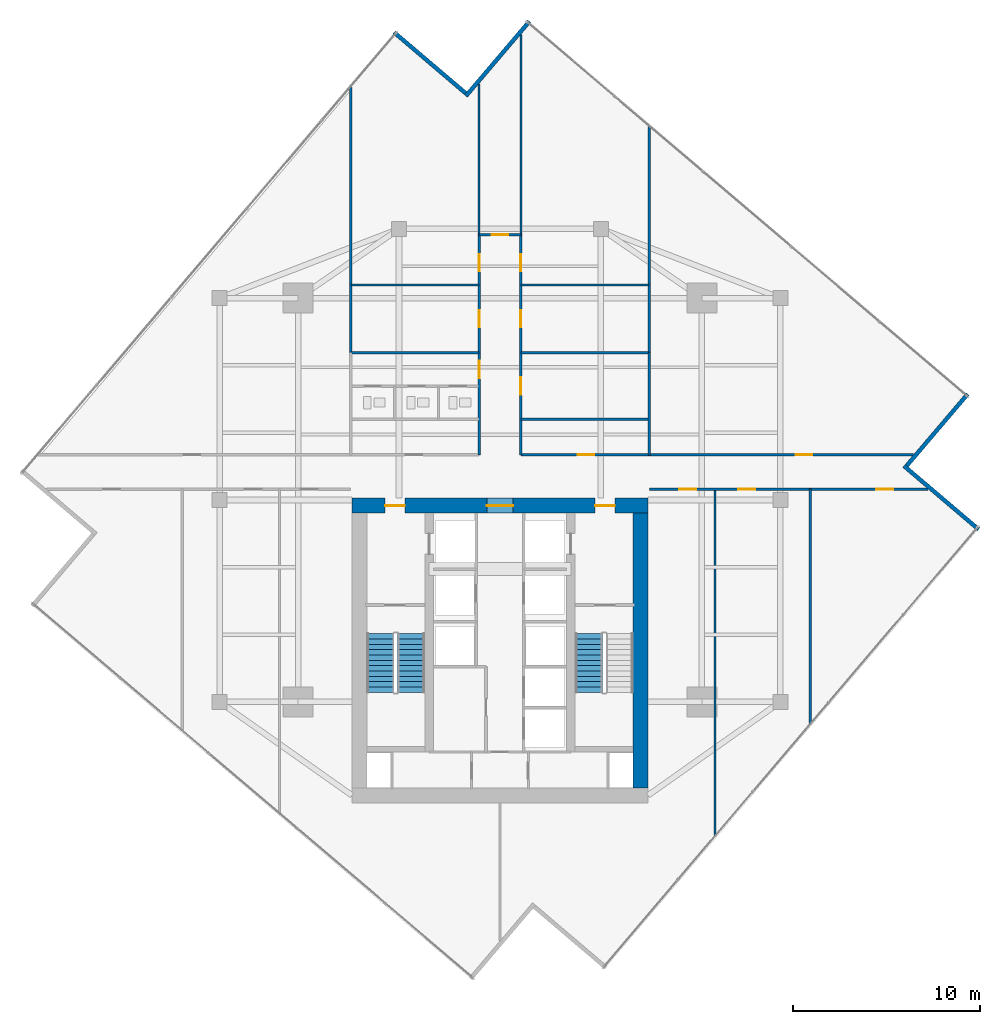
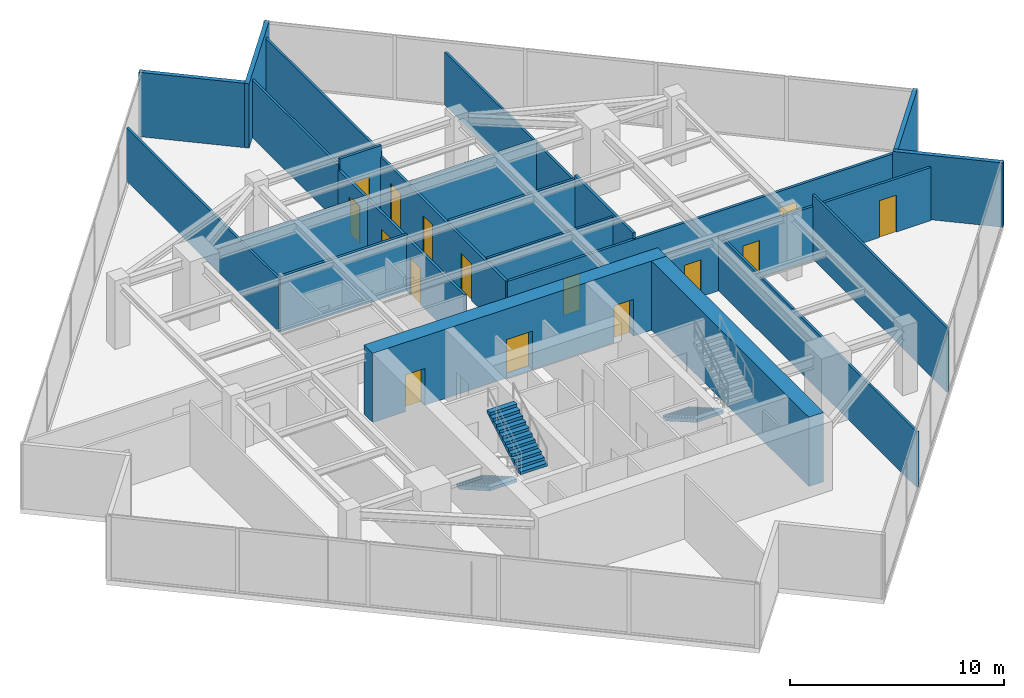
# One storey, part 23 of 26: 23 walls, 15 doors, 3 stair flights, 15 openings, 2 elements without a shape of their own.
"""IFC4 building model written with IfcOpenShell, lengths in metres."""

from ifc_helpers import new_model, si_unit, direction, frame, frame_2d, origin, place, context, subcontext, project, spatial, polyline, rectangle, outline, extrude, material, layer, layer_set, type_object, element, fill, aggregate, save


model = new_model("IFC4")

# Units and contexts
model_context = context("Model", 3, precision=1e-05, world=origin(), true_north=direction((0.0, 1.0)))
body_context = subcontext(model_context, "Body", "Model", "MODEL_VIEW")
ifc_project = project(units=[si_unit("LENGTHUNIT", "METRE"), si_unit("AREAUNIT", "SQUARE_METRE"), si_unit("VOLUMEUNIT", "CUBIC_METRE"), si_unit("PLANEANGLEUNIT", "RADIAN"), si_unit("MASSUNIT", "GRAM", prefix="KILO")], contexts=[model_context])

# Site, building, storey
site_placement = place(None, origin())
site = spatial("IfcSite", under=ifc_project, at=site_placement, CompositionType="ELEMENT")
building_placement = place(site_placement, origin())
building = spatial("IfcBuilding", under=site, at=building_placement, Name="Krantzveldt Concourse Tower", CompositionType="ELEMENT")
storey_placement = place(building_placement, frame((0.0, 0.0, 207.300048828125)))
storey = spatial("IfcBuildingStorey", under=building, at=storey_placement, Name="L50", CompositionType="ELEMENT", Elevation=207.300048828125)

# Walls
ifc_material_1 = material(Name="Anodised aluminium 6063-T6", Category="aluminium")
ifc_layer_1 = layer(ifc_material_1, 0.219970703125, Name="Anodised aluminium 6063-T6", Category="aluminium")
ifc_layer_set_1 = layer_set([ifc_layer_1], Name="Anodised aluminium 6063-T6 (WL-EXT-NOTCH220)")
wall_type_1 = type_object("IfcWallType", Name="WL-EXT-NOTCH220", PredefinedType="ELEMENTEDWALL", material=ifc_layer_set_1)
wall_1_placement = place(storey_placement, frame((34.1611328125, 48.465087890625, 0.0), z_axis=(0.0, 0.0, 1.0), x_axis=(-0.761819427757, 0.647789440707, 0.0)))
element("IfcWall", 1, at=wall_1_placement, inside=storey, type_object=wall_type_1, Name="EW-L50-NCH00", PredefinedType="ELEMENTEDWALL", context=body_context, shape_type="SweptSolid", body=[
    extrude(rectangle(XDim=5.02490234375, YDim=0.219970703125, at=frame_2d((2.512451171875, 0.0))), origin(), (0.0, 0.0, 1.0), 3.669921875),
])
wall_2_placement = place(storey_placement, frame((61.605712890625, 25.128662109375, 0.0), z_axis=(0.0, 0.0, 1.0), x_axis=(-0.761826750047, 0.647780829381, 0.0)))
element("IfcWall", 2, at=wall_2_placement, inside=storey, type_object=wall_type_1, Name="EW-L50-NCH08", PredefinedType="ELEMENTEDWALL", context=body_context, shape_type="SweptSolid", body=[
    extrude(rectangle(XDim=5.244873046875, YDim=0.219970703125, at=frame_2d((2.62255859375, 0.0))), origin(), (0.0, 0.0, 1.0), 3.669921875),
])
wall_3_placement = place(storey_placement, frame((57.76513671875, 28.538818359375, 0.0), z_axis=(0.0, 0.0, 1.0), x_axis=(0.647789440707, 0.761819427757, 0.0)))
element("IfcWall", 3, at=wall_3_placement, inside=storey, type_object=wall_type_1, Name="EW-L50-NCH09", PredefinedType="ELEMENTEDWALL", context=body_context, shape_type="SweptSolid", body=[
    extrude(rectangle(XDim=5.02490234375, YDim=0.219970703125, at=frame_2d((2.512451171875, 0.0))), origin(), (0.0, 0.0, 1.0), 3.669921875),
])
wall_4_placement = place(storey_placement, frame((37.571533203125, 52.305908203125, 0.0), z_axis=(0.0, 0.0, 1.0), x_axis=(-0.647784873465, -0.761823311346, 0.0)))
element("IfcWall", 4, at=wall_4_placement, inside=storey, type_object=wall_type_1, Name="EW-L50-NCH11", PredefinedType="ELEMENTEDWALL", context=body_context, shape_type="SweptSolid", body=[
    extrude(rectangle(XDim=5.2451171875, YDim=0.219970703125, at=frame_2d((2.62255859375, 0.0))), origin(), (0.0, 0.0, 1.0), 3.669921875),
])
ifc_material_2 = material(Name="Fire-rated gypsum plasterboard on steel stud", Category="steel")
ifc_layer_2 = layer(ifc_material_2, 0.1201171875, Name="Fire-rated gypsum plasterboard on steel stud", Category="steel")
ifc_layer_set_2 = layer_set([ifc_layer_2], Name="Fire-rated gypsum plasterboard on steel stud (WL-PART-120)")
wall_type_2 = type_object("IfcWallType", Name="WL-PART-120", PredefinedType="PARTITIONING", material=ifc_layer_set_2)
wall_5_placement = place(storey_placement, frame((37.1201171875, 31.02001953125, 0.0), z_axis=(0.0, 0.0, 1.0), x_axis=(1.0, 0.0, 0.0)))
element("IfcWall", 5, at=wall_5_placement, inside=storey, type_object=wall_type_2, Name="WP-L50-ISMR", PredefinedType="PARTITIONING", context=body_context, shape_type="SweptSolid", body=[
    extrude(rectangle(XDim=6.85986328125, YDim=0.1201171875, at=frame_2d((3.429931640625, 0.0))), origin(), (0.0, 0.0, 1.0), 3.179931640625),
])
wall_6_placement = place(storey_placement, frame((34.8798828125, 40.8798828125, 0.0), z_axis=(0.0, 0.0, 1.0), x_axis=(0.0, 1.0, 0.0)))
element("IfcWall", 6, at=wall_6_placement, inside=storey, type_object=wall_type_2, Name="WP-L50-NTL", PredefinedType="PARTITIONING", context=body_context, shape_type="SweptSolid", body=[
    extrude(rectangle(XDim=8.083251953125, YDim=0.1201171875, at=frame_2d((4.04150390625, 0.0))), origin(), (0.0, 0.0, 1.0), 3.280029296875),
])
wall_7_placement = place(storey_placement, frame((37.1201171875, 40.8798828125, 0.0), z_axis=(0.0, 0.0, 1.0), x_axis=(0.0, 1.0, 0.0)))
element("IfcWall", 7, at=wall_7_placement, inside=storey, type_object=wall_type_2, Name="WP-L50-NTR", PredefinedType="PARTITIONING", context=body_context, shape_type="SweptSolid", body=[
    extrude(rectangle(XDim=10.717529296875, YDim=0.1201171875, at=frame_2d((5.35888671875, 0.0))), origin(), (0.0, 0.0, 1.0), 3.280029296875),
])
wall_8_placement = place(storey_placement, frame((28.02001953125, 34.580078125, 0.0), z_axis=(0.0, 0.0, 1.0), x_axis=(0.0, 1.0, 0.0)))
element("IfcWall", 8, at=wall_8_placement, inside=storey, type_object=wall_type_2, Name="WP-L50-ISWL2", PredefinedType="PARTITIONING", context=body_context, shape_type="SweptSolid", body=[
    extrude(rectangle(XDim=14.242431640625, YDim=0.1201171875, at=frame_2d((7.12109375, 0.0))), origin(), (0.0, 0.0, 1.0), 3.030029296875),
])
wall_9_placement = place(storey_placement, frame((43.97998046875, 34.580078125, 0.0), z_axis=(0.0, 0.0, 1.0), x_axis=(0.0, 1.0, 0.0)))
element("IfcWall", 9, at=wall_9_placement, inside=storey, type_object=wall_type_2, Name="WP-L50-ISER2", PredefinedType="PARTITIONING", context=body_context, shape_type="SweptSolid", body=[
    extrude(rectangle(XDim=12.12548828125, YDim=0.1201171875, at=frame_2d((6.062744140625, 0.0))), origin(), (0.0, 0.0, 1.0), 3.030029296875),
])
for number, where, z_axis, x_axis, name in (
    (10, (28.02001953125, 38.199951171875, 0.0), (0.0, 0.0, 1.0), (1.0, 0.0, 0.0), "WP-L50-NWIY"),
    (11, (37.1201171875, 38.199951171875, 0.0), (0.0, 0.0, 1.0), (1.0, 0.0, 0.0), "WP-L50-NEIY"),
):
    element("IfcWall", number, at=place(storey_placement, frame(where, z_axis=z_axis, x_axis=x_axis)), inside=storey, type_object=wall_type_2, Name=name, PredefinedType="PARTITIONING", context=body_context, shape_type="SweptSolid", body=[
        extrude(rectangle(XDim=6.85986328125, YDim=0.1201171875, at=frame_2d((3.429931640625, 0.0))), origin(), (0.0, 0.0, 1.0), 3.179931640625),
    ])
wall_10_placement = place(storey_placement, frame((47.5, 8.71728515625, 0.0), z_axis=(0.0, 0.0, 1.0), x_axis=(0.0, 1.0, 0.0)))
element("IfcWall", 12, at=wall_10_placement, inside=storey, type_object=wall_type_2, Name="WP-L50-SEX1", PredefinedType="PARTITIONING", context=body_context, shape_type="SweptSolid", body=[
    extrude(rectangle(XDim=18.562744140625, YDim=0.1201171875, at=frame_2d((9.28125, 0.0))), origin(), (0.0, 0.0, 1.0), 3.179931640625),
])
wall_11_placement = place(storey_placement, frame((52.60009765625, 14.71484375, 0.0), z_axis=(0.0, 0.0, 1.0), x_axis=(0.0, 1.0, 0.0)))
element("IfcWall", 13, at=wall_11_placement, inside=storey, type_object=wall_type_2, Name="WP-L50-SEX2", PredefinedType="PARTITIONING", context=body_context, shape_type="SweptSolid", body=[
    extrude(rectangle(XDim=12.565185546875, YDim=0.1201171875, at=frame_2d((6.28271484375, 0.0))), origin(), (0.0, 0.0, 1.0), 3.669921875),
])

# Wall, openings, doors
ifc_layer_3 = layer(ifc_material_2, 0.139892578125, Name="Fire-rated gypsum plasterboard on steel stud", Category="steel")
ifc_layer_set_3 = layer_set([ifc_layer_3], Name="Fire-rated gypsum plasterboard on steel stud (WL-PART-140)")
wall_type_3 = type_object("IfcWallType", Name="WL-PART-140", PredefinedType="PARTITIONING", material=ifc_layer_set_3)
wall_12_placement = place(storey_placement, frame((34.8798828125, 29.1201171875, 0.0), z_axis=(0.0, 0.0, 1.0), x_axis=(0.0, 1.0, 0.0)))
wall_12 = element("IfcWall", 14, at=wall_12_placement, inside=storey, type_object=wall_type_3, Name="WP-L50-SPWL", PredefinedType="PARTITIONING", context=body_context, shape_type="SweptSolid", body=[
    extrude(rectangle(XDim=11.759765625, YDim=0.139892578125, at=frame_2d((5.8798828125, 0.0))), origin(), (0.0, 0.0, 1.0), 3.030029296875),
])
opening_1_placement = place(wall_12_placement, frame((4.0849609375, 0.0, 0.0)))
opening_1 = element("IfcOpeningElement", 15, at=opening_1_placement, cuts=wall_12, Name="Opening D-IN095", PredefinedType="OPENING", context=body_context, shape_type="SweptSolid", body=[
    extrude(rectangle(XDim=0.949951171875, YDim=2.10009765625, at=frame_2d((0.47509765625, 1.050048828125))), frame((0.0, 0.080078125, 0.0), z_axis=(0.0, -1.0, 0.0), x_axis=(1.0, 0.0, 0.0)), (0.0, 0.0, 1.0), 0.159912109375),
])
opening_2_placement = place(wall_12_placement, frame((6.820068359375, 0.0, 0.0)))
opening_2 = element("IfcOpeningElement", 16, at=opening_2_placement, cuts=wall_12, Name="Opening D-IN090", PredefinedType="OPENING", context=body_context, shape_type="SweptSolid", body=[
    extrude(rectangle(XDim=0.89990234375, YDim=2.10009765625, at=frame_2d((0.449951171875, 1.050048828125))), frame((0.0, 0.080078125, 0.0), z_axis=(0.0, -1.0, 0.0), x_axis=(1.0, 0.0, 0.0)), (0.0, 0.0, 1.0), 0.159912109375),
])
opening_3_placement = place(wall_12_placement, frame((9.830078125, 0.0, 0.0)))
opening_3 = element("IfcOpeningElement", 17, at=opening_3_placement, cuts=wall_12, Name="Opening D-IN090", PredefinedType="OPENING", context=body_context, shape_type="SweptSolid", body=[
    extrude(rectangle(XDim=0.89990234375, YDim=2.10009765625, at=frame_2d((0.449951171875, 1.050048828125))), frame((0.0, 0.080078125, 0.0), z_axis=(0.0, -1.0, 0.0), x_axis=(1.0, 0.0, 0.0)), (0.0, 0.0, 1.0), 0.159912109375),
])
ifc_material_3 = material(Name="Hardwood timber", Category="wood")
door_type_1 = type_object("IfcDoorType", Name="DR-INT-900", OperationType="SINGLE_SWING_LEFT", PredefinedType="DOOR", material=ifc_material_3)
door_1_placement = place(opening_2_placement, origin())
door_1 = element("IfcDoor", 18, at=door_1_placement, inside=storey, type_object=door_type_1, Name="DR-L50-NWI1", OperationType="SINGLE_SWING_LEFT", OverallHeight=2.10009765625, OverallWidth=0.89990234375, PredefinedType="DOOR", context=body_context, shape_type="SweptSolid", body=[
    extrude(rectangle(XDim=0.89990234375, YDim=2.10009765625, at=frame_2d((0.449951171875, 1.050048828125))), frame((0.0, 0.02490234375, 0.0), z_axis=(0.0, -1.0, 0.0), x_axis=(1.0, 0.0, 0.0)), (0.0, 0.0, 1.0), 0.050048828125),
])
fill(opening_2, door_1)
door_2_placement = place(opening_3_placement, origin())
door_2 = element("IfcDoor", 19, at=door_2_placement, inside=storey, type_object=door_type_1, Name="DR-L50-NWI2", OperationType="SINGLE_SWING_LEFT", OverallHeight=2.10009765625, OverallWidth=0.89990234375, PredefinedType="DOOR", context=body_context, shape_type="SweptSolid", body=[
    extrude(rectangle(XDim=0.89990234375, YDim=2.10009765625, at=frame_2d((0.449951171875, 1.050048828125))), frame((0.0, 0.02490234375, 0.0), z_axis=(0.0, -1.0, 0.0), x_axis=(1.0, 0.0, 0.0)), (0.0, 0.0, 1.0), 0.050048828125),
])
fill(opening_3, door_2)
door_type_2 = type_object("IfcDoorType", Name="DR-INT-950", OperationType="SINGLE_SWING_LEFT", PredefinedType="DOOR", material=ifc_material_3)
door_3_placement = place(opening_1_placement, origin())
door_3 = element("IfcDoor", 20, at=door_3_placement, inside=storey, type_object=door_type_2, Name="DR-L50-WCLB", OperationType="SINGLE_SWING_LEFT", OverallHeight=2.10009765625, OverallWidth=0.949951171875, PredefinedType="DOOR", context=body_context, shape_type="SweptSolid", body=[
    extrude(rectangle(XDim=0.949951171875, YDim=2.10009765625, at=frame_2d((0.47509765625, 1.050048828125))), frame((0.0, 0.02490234375, 0.0), z_axis=(0.0, -1.0, 0.0), x_axis=(1.0, 0.0, 0.0)), (0.0, 0.0, 1.0), 0.050048828125),
])
fill(opening_1, door_3)

wall_13_placement = place(storey_placement, frame((37.1201171875, 29.1201171875, 0.0), z_axis=(0.0, 0.0, 1.0), x_axis=(0.0, 1.0, 0.0)))
wall_13 = element("IfcWall", 21, at=wall_13_placement, inside=storey, type_object=wall_type_3, Name="WP-L50-SPER", PredefinedType="PARTITIONING", context=body_context, shape_type="SweptSolid", body=[
    extrude(rectangle(XDim=11.759765625, YDim=0.139892578125, at=frame_2d((5.8798828125, 0.0))), origin(), (0.0, 0.0, 1.0), 3.030029296875),
])
opening_4_placement = place(wall_13_placement, frame((3.205078125, 0.0, 0.0)))
opening_4 = element("IfcOpeningElement", 22, at=opening_4_placement, cuts=wall_13, Name="Opening D-IN095", PredefinedType="OPENING", context=body_context, shape_type="SweptSolid", body=[
    extrude(rectangle(XDim=0.949951171875, YDim=2.10009765625, at=frame_2d((0.47509765625, 1.050048828125))), frame((0.0, 0.080078125, 0.0), z_axis=(0.0, -1.0, 0.0), x_axis=(1.0, 0.0, 0.0)), (0.0, 0.0, 1.0), 0.159912109375),
])
opening_5_placement = place(wall_13_placement, frame((6.820068359375, 0.0, 0.0)))
opening_5 = element("IfcOpeningElement", 23, at=opening_5_placement, cuts=wall_13, Name="Opening D-IN090", PredefinedType="OPENING", context=body_context, shape_type="SweptSolid", body=[
    extrude(rectangle(XDim=0.89990234375, YDim=2.10009765625, at=frame_2d((0.449951171875, 1.050048828125))), frame((0.0, 0.080078125, 0.0), z_axis=(0.0, -1.0, 0.0), x_axis=(1.0, 0.0, 0.0)), (0.0, 0.0, 1.0), 0.159912109375),
])
opening_6_placement = place(wall_13_placement, frame((9.830078125, 0.0, 0.0)))
opening_6 = element("IfcOpeningElement", 24, at=opening_6_placement, cuts=wall_13, Name="Opening D-IN090", PredefinedType="OPENING", context=body_context, shape_type="SweptSolid", body=[
    extrude(rectangle(XDim=0.89990234375, YDim=2.10009765625, at=frame_2d((0.449951171875, 1.050048828125))), frame((0.0, 0.080078125, 0.0), z_axis=(0.0, -1.0, 0.0), x_axis=(1.0, 0.0, 0.0)), (0.0, 0.0, 1.0), 0.159912109375),
])
door_4_placement = place(opening_5_placement, origin())
door_4 = element("IfcDoor", 25, at=door_4_placement, inside=storey, type_object=door_type_1, Name="DR-L50-NEI1", OperationType="SINGLE_SWING_LEFT", OverallHeight=2.10009765625, OverallWidth=0.89990234375, PredefinedType="DOOR", context=body_context, shape_type="SweptSolid", body=[
    extrude(rectangle(XDim=0.89990234375, YDim=2.10009765625, at=frame_2d((0.449951171875, 1.050048828125))), frame((0.0, 0.02490234375, 0.0), z_axis=(0.0, -1.0, 0.0), x_axis=(1.0, 0.0, 0.0)), (0.0, 0.0, 1.0), 0.050048828125),
])
fill(opening_5, door_4)
door_5_placement = place(opening_6_placement, origin())
door_5 = element("IfcDoor", 26, at=door_5_placement, inside=storey, type_object=door_type_1, Name="DR-L50-NEI2", OperationType="SINGLE_SWING_LEFT", OverallHeight=2.10009765625, OverallWidth=0.89990234375, PredefinedType="DOOR", context=body_context, shape_type="SweptSolid", body=[
    extrude(rectangle(XDim=0.89990234375, YDim=2.10009765625, at=frame_2d((0.449951171875, 1.050048828125))), frame((0.0, 0.02490234375, 0.0), z_axis=(0.0, -1.0, 0.0), x_axis=(1.0, 0.0, 0.0)), (0.0, 0.0, 1.0), 0.050048828125),
])
fill(opening_6, door_5)
door_6_placement = place(opening_4_placement, origin())
door_6 = element("IfcDoor", 27, at=door_6_placement, inside=storey, type_object=door_type_2, Name="DR-L50-PNT", OperationType="SINGLE_SWING_RIGHT", OverallHeight=2.10009765625, OverallWidth=0.949951171875, PredefinedType="DOOR", context=body_context, shape_type="SweptSolid", body=[
    extrude(rectangle(XDim=0.949951171875, YDim=2.10009765625, at=frame_2d((0.47509765625, 1.050048828125))), frame((0.0, 0.02490234375, 0.0), z_axis=(0.0, -1.0, 0.0), x_axis=(1.0, 0.0, 0.0)), (0.0, 0.0, 1.0), 0.050048828125),
])
fill(opening_4, door_6)

# Wall, opening, door
wall_14_placement = place(storey_placement, frame((34.8798828125, 40.8798828125, 0.0), z_axis=(0.0, 0.0, 1.0), x_axis=(1.0, 0.0, 0.0)))
wall_14 = element("IfcWall", 28, at=wall_14_placement, inside=storey, type_object=wall_type_3, Name="WP-L50-SPTOP", PredefinedType="PARTITIONING", context=body_context, shape_type="SweptSolid", body=[
    extrude(rectangle(XDim=2.240234375, YDim=0.139892578125, at=frame_2d((1.1201171875, 0.0))), origin(), (0.0, 0.0, 1.0), 3.669921875),
])
opening_7_placement = place(wall_14_placement, frame((0.669921875, 0.0, 0.0)))
opening_7 = element("IfcOpeningElement", 29, at=opening_7_placement, cuts=wall_14, Name="Opening D-IN090", PredefinedType="OPENING", context=body_context, shape_type="SweptSolid", body=[
    extrude(rectangle(XDim=0.89990234375, YDim=2.10009765625, at=frame_2d((0.449951171875, 1.050048828125))), frame((0.0, 0.080078125, 0.0), z_axis=(0.0, -1.0, 0.0), x_axis=(1.0, 0.0, 0.0)), (0.0, 0.0, 1.0), 0.159912109375),
])
door_7_placement = place(opening_7_placement, origin())
door_7 = element("IfcDoor", 30, at=door_7_placement, inside=storey, type_object=door_type_1, Name="DR-L50-NTOP", OperationType="SINGLE_SWING_LEFT", OverallHeight=2.10009765625, OverallWidth=0.89990234375, PredefinedType="DOOR", context=body_context, shape_type="SweptSolid", body=[
    extrude(rectangle(XDim=0.89990234375, YDim=2.10009765625, at=frame_2d((0.449951171875, 1.050048828125))), frame((0.0, 0.02490234375, 0.0), z_axis=(0.0, -1.0, 0.0), x_axis=(1.0, 0.0, 0.0)), (0.0, 0.0, 1.0), 0.050048828125),
])
fill(opening_7, door_7)

# Wall, openings, doors
wall_15_placement = place(storey_placement, frame((37.1201171875, 29.1201171875, 0.0), z_axis=(0.0, 0.0, 1.0), x_axis=(1.0, 0.0, 0.0)))
wall_15 = element("IfcWall", 31, at=wall_15_placement, inside=storey, type_object=wall_type_3, Name="WP-L50-EWNR", PredefinedType="PARTITIONING", context=body_context, shape_type="SweptSolid", body=[
    extrude(rectangle(XDim=20.98828125, YDim=0.139892578125, at=frame_2d((10.494140625, 0.0))), origin(), (0.0, 0.0, 1.0), 3.030029296875),
])
opening_8_placement = place(wall_15_placement, frame((3.030029296875, 0.0, 0.0)))
opening_8 = element("IfcOpeningElement", 32, at=opening_8_placement, cuts=wall_15, Name="Opening D-IN090", PredefinedType="OPENING", context=body_context, shape_type="SweptSolid", body=[
    extrude(rectangle(XDim=0.89990234375, YDim=2.10009765625, at=frame_2d((0.449951171875, 1.050048828125))), frame((0.0, 0.080078125, 0.0), z_axis=(0.0, -1.0, 0.0), x_axis=(1.0, 0.0, 0.0)), (0.0, 0.0, 1.0), 0.159912109375),
])
opening_9_placement = place(wall_15_placement, frame((14.694091796875, 0.0, 0.0)))
opening_9 = element("IfcOpeningElement", 33, at=opening_9_placement, cuts=wall_15, Name="Opening D-IN090", PredefinedType="OPENING", context=body_context, shape_type="SweptSolid", body=[
    extrude(rectangle(XDim=0.89990234375, YDim=2.10009765625, at=frame_2d((0.449951171875, 1.050048828125))), frame((0.0, 0.080078125, 0.0), z_axis=(0.0, -1.0, 0.0), x_axis=(1.0, 0.0, 0.0)), (0.0, 0.0, 1.0), 0.159912109375),
])
door_8_placement = place(opening_8_placement, origin())
door_8 = element("IfcDoor", 34, at=door_8_placement, inside=storey, type_object=door_type_1, Name="DR-L50-ALCR", OperationType="SINGLE_SWING_RIGHT", OverallHeight=2.10009765625, OverallWidth=0.89990234375, PredefinedType="DOOR", context=body_context, shape_type="SweptSolid", body=[
    extrude(rectangle(XDim=0.89990234375, YDim=2.10009765625, at=frame_2d((0.449951171875, 1.050048828125))), frame((0.0, 0.02490234375, 0.0), z_axis=(0.0, -1.0, 0.0), x_axis=(1.0, 0.0, 0.0)), (0.0, 0.0, 1.0), 0.050048828125),
])
fill(opening_8, door_8)
door_9_placement = place(opening_9_placement, origin())
door_9 = element("IfcDoor", 35, at=door_9_placement, inside=storey, type_object=door_type_1, Name="DR-L50-NEX1", OperationType="SINGLE_SWING_RIGHT", OverallHeight=2.10009765625, OverallWidth=0.89990234375, PredefinedType="DOOR", context=body_context, shape_type="SweptSolid", body=[
    extrude(rectangle(XDim=0.89990234375, YDim=2.10009765625, at=frame_2d((0.449951171875, 1.050048828125))), frame((0.0, 0.02490234375, 0.0), z_axis=(0.0, -1.0, 0.0), x_axis=(1.0, 0.0, 0.0)), (0.0, 0.0, 1.0), 0.050048828125),
])
fill(opening_9, door_9)

wall_16_placement = place(storey_placement, frame((44.0, 27.280029296875, 0.0), z_axis=(0.0, 0.0, 1.0), x_axis=(1.0, 0.0, 0.0)))
wall_16 = element("IfcWall", 36, at=wall_16_placement, inside=storey, type_object=wall_type_3, Name="WP-L50-EWSR", PredefinedType="PARTITIONING", context=body_context, shape_type="SweptSolid", body=[
    extrude(rectangle(XDim=14.898193359375, YDim=0.139892578125, at=frame_2d((7.44921875, 0.0))), origin(), (0.0, 0.0, 1.0), 3.030029296875),
])
opening_10_placement = place(wall_16_placement, frame((1.60009765625, 0.0, 0.0)))
opening_10 = element("IfcOpeningElement", 37, at=opening_10_placement, cuts=wall_16, Name="Opening D-IN090", PredefinedType="OPENING", context=body_context, shape_type="SweptSolid", body=[
    extrude(rectangle(XDim=0.89990234375, YDim=2.10009765625, at=frame_2d((0.449951171875, 1.050048828125))), frame((0.0, 0.080078125, 0.0), z_axis=(0.0, -1.0, 0.0), x_axis=(1.0, 0.0, 0.0)), (0.0, 0.0, 1.0), 0.159912109375),
])
opening_11_placement = place(wall_16_placement, frame((4.75, 0.0, 0.0)))
opening_11 = element("IfcOpeningElement", 38, at=opening_11_placement, cuts=wall_16, Name="Opening D-IN090", PredefinedType="OPENING", context=body_context, shape_type="SweptSolid", body=[
    extrude(rectangle(XDim=0.89990234375, YDim=2.10009765625, at=frame_2d((0.449951171875, 1.050048828125))), frame((0.0, 0.080078125, 0.0), z_axis=(0.0, -1.0, 0.0), x_axis=(1.0, 0.0, 0.0)), (0.0, 0.0, 1.0), 0.159912109375),
])
opening_12_placement = place(wall_16_placement, frame((12.1240234375, 0.0, 0.0)))
opening_12 = element("IfcOpeningElement", 39, at=opening_12_placement, cuts=wall_16, Name="Opening D-IN090", PredefinedType="OPENING", context=body_context, shape_type="SweptSolid", body=[
    extrude(rectangle(XDim=0.89990234375, YDim=2.10009765625, at=frame_2d((0.449951171875, 1.050048828125))), frame((0.0, 0.080078125, 0.0), z_axis=(0.0, -1.0, 0.0), x_axis=(1.0, 0.0, 0.0)), (0.0, 0.0, 1.0), 0.159912109375),
])
door_10_placement = place(opening_10_placement, origin())
door_10 = element("IfcDoor", 40, at=door_10_placement, inside=storey, type_object=door_type_1, Name="DR-L50-SEX1", OperationType="SINGLE_SWING_RIGHT", OverallHeight=2.10009765625, OverallWidth=0.89990234375, PredefinedType="DOOR", context=body_context, shape_type="SweptSolid", body=[
    extrude(rectangle(XDim=0.89990234375, YDim=2.10009765625, at=frame_2d((0.449951171875, 1.050048828125))), frame((0.0, 0.02490234375, 0.0), z_axis=(0.0, -1.0, 0.0), x_axis=(1.0, 0.0, 0.0)), (0.0, 0.0, 1.0), 0.050048828125),
])
fill(opening_10, door_10)
door_11_placement = place(opening_11_placement, origin())
door_11 = element("IfcDoor", 41, at=door_11_placement, inside=storey, type_object=door_type_1, Name="DR-L50-SEX2", OperationType="SINGLE_SWING_RIGHT", OverallHeight=2.10009765625, OverallWidth=0.89990234375, PredefinedType="DOOR", context=body_context, shape_type="SweptSolid", body=[
    extrude(rectangle(XDim=0.89990234375, YDim=2.10009765625, at=frame_2d((0.449951171875, 1.050048828125))), frame((0.0, 0.02490234375, 0.0), z_axis=(0.0, -1.0, 0.0), x_axis=(1.0, 0.0, 0.0)), (0.0, 0.0, 1.0), 0.050048828125),
])
fill(opening_11, door_11)
door_12_placement = place(opening_12_placement, origin())
door_12 = element("IfcDoor", 42, at=door_12_placement, inside=storey, type_object=door_type_1, Name="DR-L50-SEX3", OperationType="SINGLE_SWING_RIGHT", OverallHeight=2.10009765625, OverallWidth=0.89990234375, PredefinedType="DOOR", context=body_context, shape_type="SweptSolid", body=[
    extrude(rectangle(XDim=0.89990234375, YDim=2.10009765625, at=frame_2d((0.449951171875, 1.050048828125))), frame((0.0, 0.02490234375, 0.0), z_axis=(0.0, -1.0, 0.0), x_axis=(1.0, 0.0, 0.0)), (0.0, 0.0, 1.0), 0.050048828125),
])
fill(opening_12, door_12)

# Walls
for number, where, z_axis, x_axis, name in (
    (43, (28.02001953125, 34.580078125, 0.0), (0.0, 0.0, 1.0), (1.0, 0.0, 0.0), "WP-L50-ISNL"),
    (44, (37.1201171875, 34.580078125, 0.0), (0.0, 0.0, 1.0), (1.0, 0.0, 0.0), "WP-L50-ISNR"),
):
    element("IfcWall", number, at=place(storey_placement, frame(where, z_axis=z_axis, x_axis=x_axis)), inside=storey, type_object=wall_type_3, Name=name, PredefinedType="PARTITIONING", context=body_context, shape_type="SweptSolid", body=[
        extrude(rectangle(XDim=6.85986328125, YDim=0.139892578125, at=frame_2d((3.429931640625, 0.0))), origin(), (0.0, 0.0, 1.0), 3.179931640625),
    ])
wall_17_placement = place(storey_placement, frame((43.97998046875, 29.1201171875, 0.0), z_axis=(0.0, 0.0, 1.0), x_axis=(0.0, 1.0, 0.0)))
element("IfcWall", 45, at=wall_17_placement, inside=storey, type_object=wall_type_3, Name="WP-L50-ISER", PredefinedType="PARTITIONING", context=body_context, shape_type="SweptSolid", body=[
    extrude(rectangle(XDim=5.4599609375, YDim=0.139892578125, at=frame_2d((2.72998046875, 0.0))), origin(), (0.0, 0.0, 1.0), 3.369873046875),
])

# Wall, openings, doors
ifc_material_4 = material(Name="Concrete C60/75", Category="concrete")
ifc_layer_4 = layer(ifc_material_4, 0.800048828125, Name="Concrete C60/75", Category="concrete")
ifc_layer_set_4 = layer_set([ifc_layer_4], Name="Concrete C60/75 (WL-SHEAR-800)")
wall_type_4 = type_object("IfcWallType", Name="WL-SHEAR-800", PredefinedType="SHEAR", material=ifc_layer_set_4)
wall_18_placement = place(storey_placement, frame((28.080078125, 26.39990234375, 0.0), z_axis=(0.0, 0.0, 1.0), x_axis=(1.0, 0.0, 0.0)))
wall_18 = element("IfcWall", 46, at=wall_18_placement, inside=storey, type_object=wall_type_4, Name="CW-L50-N", PredefinedType="SHEAR", context=body_context, shape_type="SweptSolid", body=[
    extrude(rectangle(XDim=15.83984375, YDim=0.800048828125, at=frame_2d((7.919921875, 0.0))), origin(), (0.0, 0.0, 1.0), 3.949951171875),
])
opening_13_placement = place(wall_18_placement, frame((7.219970703125, 0.0, 0.0)))
opening_13 = element("IfcOpeningElement", 47, at=opening_13_placement, cuts=wall_18, Name="Opening D-DB140", PredefinedType="OPENING", context=body_context, shape_type="SweptSolid", body=[
    extrude(rectangle(XDim=1.39990234375, YDim=2.199951171875, at=frame_2d((0.699951171875, 1.10009765625))), frame((0.0, 0.41015625, 0.0), z_axis=(0.0, -1.0, 0.0), x_axis=(1.0, 0.0, 0.0)), (0.0, 0.0, 1.0), 0.820068359375),
])
opening_14_placement = place(wall_18_placement, frame((1.77490234375, 0.0, 0.0)))
opening_14 = element("IfcOpeningElement", 48, at=opening_14_placement, cuts=wall_18, Name="Opening D-FD105", PredefinedType="OPENING", context=body_context, shape_type="SweptSolid", body=[
    extrude(rectangle(XDim=1.050048828125, YDim=2.10009765625, at=frame_2d((0.52490234375, 1.050048828125))), frame((0.0, 0.41015625, 0.0), z_axis=(0.0, -1.0, 0.0), x_axis=(1.0, 0.0, 0.0)), (0.0, 0.0, 1.0), 0.820068359375),
])
opening_15_placement = place(wall_18_placement, frame((13.014892578125, 0.0, 0.0)))
opening_15 = element("IfcOpeningElement", 49, at=opening_15_placement, cuts=wall_18, Name="Opening D-FD105", PredefinedType="OPENING", context=body_context, shape_type="SweptSolid", body=[
    extrude(rectangle(XDim=1.050048828125, YDim=2.10009765625, at=frame_2d((0.52490234375, 1.050048828125))), frame((0.0, 0.41015625, 0.0), z_axis=(0.0, -1.0, 0.0), x_axis=(1.0, 0.0, 0.0)), (0.0, 0.0, 1.0), 0.820068359375),
])
door_type_3 = type_object("IfcDoorType", Name="DR-DBL-1400", OperationType="DOUBLE_DOOR_SINGLE_SWING", PredefinedType="DOOR", material=ifc_material_1)
door_13_placement = place(opening_13_placement, origin())
door_13 = element("IfcDoor", 50, at=door_13_placement, inside=storey, type_object=door_type_3, Name="DR-L50-LLB", OperationType="DOUBLE_DOOR_SINGLE_SWING", OverallHeight=2.199951171875, OverallWidth=1.39990234375, PredefinedType="DOOR", context=body_context, shape_type="SweptSolid", body=[
    extrude(rectangle(XDim=1.39990234375, YDim=2.199951171875, at=frame_2d((0.699951171875, 1.10009765625))), frame((0.0, 0.02490234375, 0.0), z_axis=(0.0, -1.0, 0.0), x_axis=(1.0, 0.0, 0.0)), (0.0, 0.0, 1.0), 0.050048828125),
])
fill(opening_13, door_13)
ifc_material_5 = material(Name="Galvanised steel", Category="steel")
door_type_4 = type_object("IfcDoorType", Name="DR-FD120-1050", OperationType="SINGLE_SWING_LEFT", PredefinedType="DOOR", material=ifc_material_5)
door_14_placement = place(opening_14_placement, origin())
door_14 = element("IfcDoor", 51, at=door_14_placement, inside=storey, type_object=door_type_4, Name="DR-L50-FFL1", OperationType="SINGLE_SWING_LEFT", OverallHeight=2.10009765625, OverallWidth=1.050048828125, PredefinedType="DOOR", context=body_context, shape_type="SweptSolid", body=[
    extrude(rectangle(XDim=1.050048828125, YDim=2.10009765625, at=frame_2d((0.52490234375, 1.050048828125))), frame((0.0, 0.02490234375, 0.0), z_axis=(0.0, -1.0, 0.0), x_axis=(1.0, 0.0, 0.0)), (0.0, 0.0, 1.0), 0.050048828125),
])
fill(opening_14, door_14)
door_15_placement = place(opening_15_placement, origin())
door_15 = element("IfcDoor", 52, at=door_15_placement, inside=storey, type_object=door_type_4, Name="DR-L50-FFL2", OperationType="SINGLE_SWING_RIGHT", OverallHeight=2.10009765625, OverallWidth=1.050048828125, PredefinedType="DOOR", context=body_context, shape_type="SweptSolid", body=[
    extrude(rectangle(XDim=1.050048828125, YDim=2.10009765625, at=frame_2d((0.52490234375, 1.050048828125))), frame((0.0, 0.02490234375, 0.0), z_axis=(0.0, -1.0, 0.0), x_axis=(1.0, 0.0, 0.0)), (0.0, 0.0, 1.0), 0.050048828125),
])
fill(opening_15, door_15)

# Wall
wall_19_placement = place(storey_placement, frame((43.52001953125, 11.300048828125, 0.0), z_axis=(0.0, 0.0, 1.0), x_axis=(0.0, 1.0, 0.0)))
element("IfcWall", 53, at=wall_19_placement, inside=storey, type_object=wall_type_4, Name="CW-L50-E", PredefinedType="SHEAR", context=body_context, shape_type="SweptSolid", body=[
    extrude(rectangle(XDim=14.699951171875, YDim=0.800048828125, at=frame_2d((7.35009765625, 0.0))), origin(), (0.0, 0.0, 1.0), 3.949951171875),
])

# Stair, stair flights
ifc_material_6 = material(Name="Precast concrete C40/50", Category="concrete")
stair_type = type_object("IfcStairType", Name="STR-CORE-DOGLEG", PredefinedType="HALF_TURN_STAIR", material=ifc_material_6)
stair_1_placement = place(storey_placement, origin())
stair_1 = element("IfcStair", 54, at=stair_1_placement, inside=storey, type_object=stair_type, Name="L50 Protected Escape Stair ST-1", PredefinedType="HALF_TURN_STAIR")
stair_flight_type = type_object("IfcStairFlightType", Name="STF-CORE-1450", PredefinedType="STRAIGHT", material=ifc_material_6)
stair_flight_1_placement = place(storey_placement, frame((29.60498046875, 19.550048828125, 0.0), z_axis=(0.0, 0.0, 1.0), x_axis=(0.0, -1.0, 0.0)))
stair_flight_1 = element("IfcStairFlight", 55, at=stair_flight_1_placement, type_object=stair_flight_type, Name="ST-1 flight 1", NumberOfRisers=12, NumberOfTreads=11, PredefinedType="STRAIGHT", RiserHeight=0.164583333, TreadLength=0.285, context=body_context, shape_type="SweptSolid", body=[
    extrude(outline(polyline([(0.0, 0.0), (0.0, 0.16455078125), (0.284912109375, 0.16455078125), (0.284912109375, 0.3291015625), (0.570068359375, 0.3291015625), (0.570068359375, 0.49365234375), (0.85498046875, 0.49365234375), (0.85498046875, 0.658447265625), (1.139892578125, 0.658447265625), (1.139892578125, 0.822998046875), (1.425048828125, 0.822998046875), (1.425048828125, 0.987548828125), (1.7099609375, 0.987548828125), (1.7099609375, 1.152099609375), (1.9951171875, 1.152099609375), (1.9951171875, 1.316650390625), (2.280029296875, 1.316650390625), (2.280029296875, 1.481201171875), (2.56494140625, 1.481201171875), (2.56494140625, 1.645751953125), (2.85009765625, 1.645751953125), (2.85009765625, 1.810302734375), (3.135009765625, 1.810302734375), (3.135009765625, 1.97509765625), (3.135009765625, 1.63720703125), (0.2998046875, 0.0), (0.0, 0.0)])), frame((0.0, 0.72509765625, 0.0), z_axis=(0.0, -1.0, 0.0), x_axis=(1.0, 0.0, 0.0)), (0.0, 0.0, 1.0), 1.449951171875),
])
stair_flight_2_placement = place(storey_placement, frame((31.2548828125, 16.4150390625, 1.974853515625), z_axis=(0.0, 0.0, 1.0), x_axis=(0.0, 1.0, 0.0)))
stair_flight_2 = element("IfcStairFlight", 56, at=stair_flight_2_placement, type_object=stair_flight_type, Name="ST-1 flight 2", NumberOfRisers=12, NumberOfTreads=11, PredefinedType="STRAIGHT", RiserHeight=0.164583333, TreadLength=0.285, context=body_context, shape_type="SweptSolid", body=[
    extrude(outline(polyline([(0.0, 0.0), (0.0, 0.16455078125), (0.284912109375, 0.16455078125), (0.284912109375, 0.3291015625), (0.570068359375, 0.3291015625), (0.570068359375, 0.49365234375), (0.85498046875, 0.49365234375), (0.85498046875, 0.658447265625), (1.139892578125, 0.658447265625), (1.139892578125, 0.822998046875), (1.425048828125, 0.822998046875), (1.425048828125, 0.987548828125), (1.7099609375, 0.987548828125), (1.7099609375, 1.152099609375), (1.9951171875, 1.152099609375), (1.9951171875, 1.316650390625), (2.280029296875, 1.316650390625), (2.280029296875, 1.481201171875), (2.56494140625, 1.481201171875), (2.56494140625, 1.645751953125), (2.85009765625, 1.645751953125), (2.85009765625, 1.810302734375), (3.135009765625, 1.810302734375), (3.135009765625, 1.97509765625), (3.135009765625, 1.63720703125), (0.2998046875, 0.0), (0.0, 0.0)])), frame((0.0, 0.72509765625, 0.0), z_axis=(0.0, -1.0, 0.0), x_axis=(1.0, 0.0, 0.0)), (0.0, 0.0, 1.0), 1.449951171875),
])
aggregate(stair_1, [stair_flight_1, stair_flight_2])

# Stair, stair flight
stair_2_placement = place(storey_placement, origin())
stair_2 = element("IfcStair", 57, at=stair_2_placement, inside=storey, type_object=stair_type, Name="L50 Protected Escape Stair ST-2", PredefinedType="HALF_TURN_STAIR")
stair_flight_3_placement = place(storey_placement, frame((40.7451171875, 19.550048828125, 0.0), z_axis=(0.0, 0.0, 1.0), x_axis=(0.0, -1.0, 0.0)))
stair_flight_3 = element("IfcStairFlight", 58, at=stair_flight_3_placement, type_object=stair_flight_type, Name="ST-2 flight 1", NumberOfRisers=12, NumberOfTreads=11, PredefinedType="STRAIGHT", RiserHeight=0.164583333, TreadLength=0.285, context=body_context, shape_type="SweptSolid", body=[
    extrude(outline(polyline([(0.0, 0.0), (0.0, 0.16455078125), (0.284912109375, 0.16455078125), (0.284912109375, 0.3291015625), (0.570068359375, 0.3291015625), (0.570068359375, 0.49365234375), (0.85498046875, 0.49365234375), (0.85498046875, 0.658447265625), (1.139892578125, 0.658447265625), (1.139892578125, 0.822998046875), (1.425048828125, 0.822998046875), (1.425048828125, 0.987548828125), (1.7099609375, 0.987548828125), (1.7099609375, 1.152099609375), (1.9951171875, 1.152099609375), (1.9951171875, 1.316650390625), (2.280029296875, 1.316650390625), (2.280029296875, 1.481201171875), (2.56494140625, 1.481201171875), (2.56494140625, 1.645751953125), (2.85009765625, 1.645751953125), (2.85009765625, 1.810302734375), (3.135009765625, 1.810302734375), (3.135009765625, 1.97509765625), (3.135009765625, 1.63720703125), (0.2998046875, 0.0), (0.0, 0.0)])), frame((0.0, 0.72509765625, 0.0), z_axis=(0.0, -1.0, 0.0), x_axis=(1.0, 0.0, 0.0)), (0.0, 0.0, 1.0), 1.449951171875),
])
aggregate(stair_2, [stair_flight_3])

save(model, "model.ifc")
